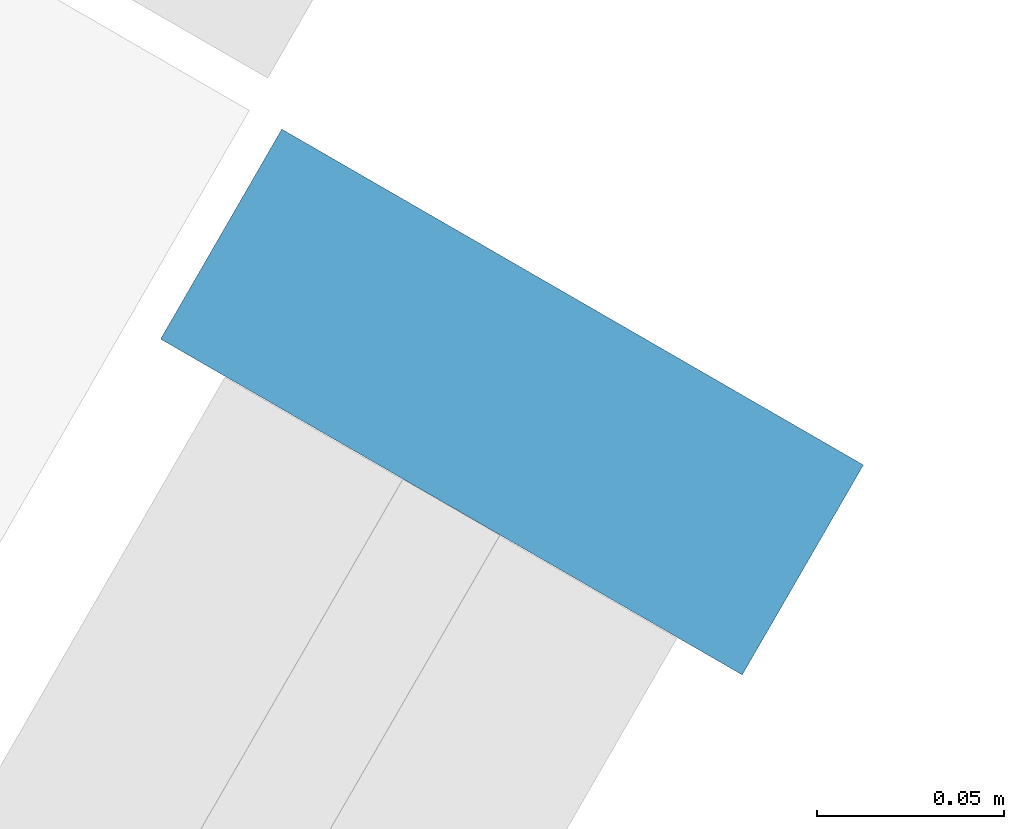
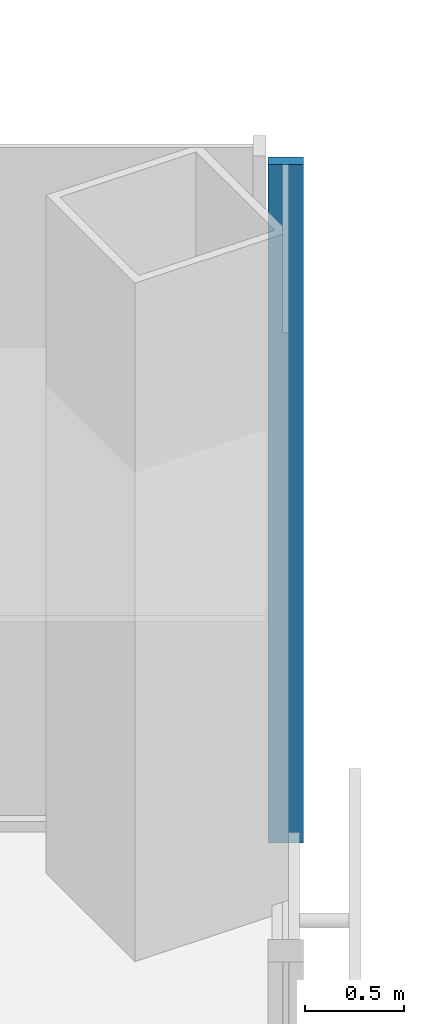
# One storey, part 8 of 16: 1 member, 1 element without a shape of its own.
"""IFC4 building model written with IfcOpenShell, lengths in metres."""

import ifcopenshell
import ifcopenshell.guid

model = None  # the IFC model being written
_history = None  # IfcOwnerHistory: only IFC2X3 demands one
_inside = {}  # id of a spatial element -> (the spatial element, [elements in it])
_under = {}  # id of a project, library or spatial element -> (it, [spatial elements below it])
_declared = {}  # id of a project -> (the project, [libraries it declares])
_typed = {}  # id of a type object -> (the type object, [elements of that type])
_made_of = {}  # id of a material, layer set ... -> (it, [elements and type objects made of it])


def new_model(schema):
    """Start an empty IFC model of exactly this schema.

    Asked for "IFC4X3", IfcOpenShell would pick the latest addendum, in which some entities
    have other attributes; the version numbers below select the first issue.
    IFC2X3 requires an IfcOwnerHistory on every rooted entity: one is made here for all.
    """
    global model, _history
    if schema == "IFC4X3":
        model = ifcopenshell.file(schema_version=(4, 3, 0, 0))
    else:
        model = ifcopenshell.file(schema=schema)
    _inside.clear()
    _under.clear()
    _declared.clear()
    _typed.clear()
    _made_of.clear()
    _history = None
    if model.schema == "IFC2X3":
        org = make("IfcOrganization", Name="unknown")
        user = make(
            "IfcPersonAndOrganization",
            ThePerson=make("IfcPerson", FamilyName="unknown"),
            TheOrganization=org,
        )
        app = make(
            "IfcApplication",
            ApplicationDeveloper=org,
            Version="unknown",
            ApplicationFullName="unknown",
            ApplicationIdentifier="unknown",
        )
        _history = make(
            "IfcOwnerHistory",
            OwningUser=user,
            OwningApplication=app,
            ChangeAction="ADDED",
            CreationDate=0,
        )
    return model


def make(cls, **values):
    """One entity of the class cls with the attributes given. An attribute that is None is left unset."""
    return model.create_entity(
        cls, **{name: value for name, value in values.items() if value is not None}
    )


def rooted(cls, **values):
    """An entity with a GlobalId (a new one), such as an element, a storey or a relation."""
    return make(cls, GlobalId=ifcopenshell.guid.new(), OwnerHistory=_history, **values)


def si_unit(unit_type, name, prefix=None):
    """IfcSIUnit, for example si_unit("LENGTHUNIT", "METRE", prefix="MILLI")."""
    return make("IfcSIUnit", UnitType=unit_type, Prefix=prefix, Name=name)


def assignment(units):
    """IfcUnitAssignment: the units of a project."""
    return None if units is None else make("IfcUnitAssignment", Units=units)


def point(xyz):
    """IfcCartesianPoint."""
    return None if xyz is None else make("IfcCartesianPoint", Coordinates=xyz)


def direction(xyz):
    """IfcDirection."""
    return None if xyz is None else make("IfcDirection", DirectionRatios=xyz)


def frame(location, z_axis=None, x_axis=None):
    """IfcAxis2Placement3D, a coordinate frame: its origin and axes. An axis left out is left unset."""
    return make(
        "IfcAxis2Placement3D",
        Location=point(location),
        Axis=direction(z_axis),
        RefDirection=direction(x_axis),
    )


def frame_2d(location, x_axis=None):
    """IfcAxis2Placement2D, a coordinate frame in the plane: its origin and x axis."""
    return make(
        "IfcAxis2Placement2D", Location=point(location), RefDirection=direction(x_axis)
    )


def origin():
    """The frame at (0, 0, 0) with its axes left unset."""
    return frame((0.0, 0.0, 0.0))


def origin_2d():
    """The frame at (0, 0) in the plane with its x axis left unset."""
    return frame_2d((0.0, 0.0))


def place(relative_to, where):
    """IfcLocalPlacement: puts the frame where relative to a parent placement (None: the world)."""
    return make(
        "IfcLocalPlacement", PlacementRelTo=relative_to, RelativePlacement=where
    )


def context(
    kind, dimensions, precision=None, world=None, true_north=None, identifier=None
):
    """IfcGeometricRepresentationContext, for example the 3D "Model" context."""
    return make(
        "IfcGeometricRepresentationContext",
        ContextIdentifier=identifier,
        ContextType=kind,
        CoordinateSpaceDimension=dimensions,
        Precision=precision,
        WorldCoordinateSystem=world,
        TrueNorth=true_north,
    )


def subcontext(parent, identifier, kind, view, scale=None):
    """IfcGeometricRepresentationSubContext, for example "Body" below "Model"."""
    return make(
        "IfcGeometricRepresentationSubContext",
        ContextIdentifier=identifier,
        ContextType=kind,
        ParentContext=parent,
        TargetScale=scale,
        TargetView=view,
    )


def project(units=None, contexts=None):
    """IfcProject with its units and contexts."""
    return rooted(
        "IfcProject",
        Name="project",
        RepresentationContexts=contexts,
        UnitsInContext=assignment(units),
    )


def spatial(cls, under=None, at=None, **own):
    """A site, building, storey or space (cls), placed at a placement, below another one or the project."""
    s = rooted(cls, ObjectPlacement=at, **own)
    if under is not None:
        _under.setdefault(under.id(), (under, []))[1].append(s)
    return s


def profile(cls, at=None, kind="AREA", **sizes):
    """A parametric profile (cls). Its sizes go by their IFC names, for example OverallWidth=200.0."""
    return make(cls, ProfileType=kind, Position=at, **sizes)


def rectangle(**sizes):
    """IfcRectangleProfileDef."""
    return profile("IfcRectangleProfileDef", **sizes)


def extrude(swept, where, along, depth):
    """IfcExtrudedAreaSolid: the profile swept, set in the frame where, extruded along a direction by depth."""
    return make(
        "IfcExtrudedAreaSolid",
        SweptArea=swept,
        Position=where,
        ExtrudedDirection=direction(along),
        Depth=depth,
    )


def shape(context_of_items, identifier, shape_type, items):
    """IfcShapeRepresentation: the items that make up one representation, for example the "Body"."""
    return make(
        "IfcShapeRepresentation",
        ContextOfItems=context_of_items,
        RepresentationIdentifier=identifier,
        RepresentationType=shape_type,
        Items=items,
    )


def material(Name=None, Category=None):
    """IfcMaterial."""
    return make("IfcMaterial", Name=Name, Category=Category)


def material_profile(
    of_material, cross_section, Name=None, Category=None, Priority=None
):
    """IfcMaterialProfile: a cross section and its material."""
    return make(
        "IfcMaterialProfile",
        Name=Name,
        Material=of_material,
        Profile=cross_section,
        Priority=Priority,
        Category=Category,
    )


def profile_set(profiles, Name=None, composite=None):
    """IfcMaterialProfileSet."""
    return make(
        "IfcMaterialProfileSet",
        Name=Name,
        MaterialProfiles=profiles,
        CompositeProfile=composite,
    )


def made_of(thing, what):
    """Note that an element or type object is made of a material, layer set ...; save() writes the relation."""
    if what is not None:
        _made_of.setdefault(what.id(), (what, []))[1].append(thing)
    return thing


def type_object(cls, material=None, **own):
    """A type object (cls), such as IfcWallType, which elements share."""
    return made_of(rooted(cls, **own), material)


def element(
    cls,
    number,
    at=None,
    inside=None,
    cuts=None,
    type_object=None,
    material=None,
    context=None,
    identifier="Body",
    shape_type=None,
    held_by="IfcProductDefinitionShape",
    body=None,
    shapes=None,
    **own,
):
    """One element of the class cls, such as IfcWall. Its Tag is "e" and its number.

    at: its placement. inside: the storey or other place that contains it. cuts: it is an
    opening in that element (IfcRelVoidsElement). A single representation is given by context,
    identifier, shape_type and body (its items); several are given by shapes. held_by: the class
    of the entity that holds the representations. save() writes the other relations.
    """
    e = rooted(cls, Tag="e%d" % number, ObjectPlacement=at, **own)
    if body is not None:
        shapes = [shape(context, identifier, shape_type, body)]
    if shapes is not None:
        e.Representation = make(held_by, Representations=shapes)
    if inside is not None:
        _inside.setdefault(inside.id(), (inside, []))[1].append(e)
    if cuts is not None:
        rooted(
            "IfcRelVoidsElement", RelatingBuildingElement=cuts, RelatedOpeningElement=e
        )
    if type_object is not None:
        _typed.setdefault(type_object.id(), (type_object, []))[1].append(e)
    return made_of(e, material)


def aggregate(whole, parts):
    """IfcRelAggregates: a whole, such as a stair, and the parts it consists of."""
    return rooted("IfcRelAggregates", RelatingObject=whole, RelatedObjects=parts)


def save(model, path):
    """Write the relations noted so far, then the file.

    IfcRelAggregates (storeys below a building ...), IfcRelContainedInSpatialStructure (elements
    in a storey), IfcRelDefinesByType, IfcRelAssociatesMaterial and IfcRelDeclares: one each for
    every whole, place, type object, material and project.
    """
    for whole, parts in _under.values():
        aggregate(whole, parts)
    for where, things in _inside.values():
        rooted(
            "IfcRelContainedInSpatialStructure",
            RelatedElements=things,
            RelatingStructure=where,
        )
    for kind, things in _typed.values():
        rooted("IfcRelDefinesByType", RelatedObjects=things, RelatingType=kind)
    for what, things in _made_of.values():
        rooted("IfcRelAssociatesMaterial", RelatedObjects=things, RelatingMaterial=what)
    for by, libraries in _declared.values():
        rooted("IfcRelDeclares", RelatingContext=by, RelatedDefinitions=libraries)
    model.write(path)


model = new_model("IFC4")

# Units and contexts
model_context = context("Model", 3, precision=1e-05, world=origin(), true_north=direction((0.0, 1.0)))
body_context = subcontext(model_context, "Body", "Model", "MODEL_VIEW")
ifc_project = project(units=[si_unit("LENGTHUNIT", "METRE"), si_unit("AREAUNIT", "SQUARE_METRE"), si_unit("VOLUMEUNIT", "CUBIC_METRE"), si_unit("PLANEANGLEUNIT", "RADIAN"), si_unit("MASSUNIT", "GRAM", prefix="KILO")], contexts=[model_context])

# Site, building, storey
site_placement = place(None, origin())
site = spatial("IfcSite", under=ifc_project, at=site_placement, CompositionType="ELEMENT")
building_placement = place(site_placement, origin())
building = spatial("IfcBuilding", under=site, at=building_placement, Name="Kasaneha Research Tower", CompositionType="ELEMENT")
storey_placement = place(building_placement, frame((0.0, 0.0, 22.60009765625)))
storey = spatial("IfcBuildingStorey", under=building, at=storey_placement, Name="L06", CompositionType="ELEMENT", Elevation=22.60009765625)

# Curtain wall, member
ifc_material_1 = material(Name="Glass and aluminium", Category="aluminium")
curtain_wall_type = type_object("IfcCurtainWallType", Name="Wet laboratory curtain wall", PredefinedType="USERDEFINED", material=ifc_material_1)
curtain_wall_placement = place(storey_placement, origin())
curtain_wall = element("IfcCurtainWall", 1, at=curtain_wall_placement, inside=storey, type_object=curtain_wall_type, Name="CW-L1 L06 run 05a", ObjectType="UNITISED CURTAIN WALL", PredefinedType="USERDEFINED")
ifc_material_2 = material(Name="Aluminium 6063-T6", Category="aluminium")
ifc_material_profile = material_profile(ifc_material_2, rectangle(XDim=0.06494140625, YDim=0.179931640625, at=origin_2d()), Name="CW-L1 mullion 65x180")
ifc_profile_set = profile_set([ifc_material_profile], Name="Aluminium 6063-T6")
member_type = type_object("IfcMemberType", Name="CW-L1 mullion", PredefinedType="MULLION", material=ifc_profile_set)
member_placement = place(storey_placement, frame((32.01171875, -6.39501953125, 0.0), z_axis=(0.0, 0.0, 1.0), x_axis=(0.500000011442, 0.866025397178, 0.0)))
member = element("IfcMember", 2, at=member_placement, type_object=member_type, Name="CW-L1 mullion 4", PredefinedType="MULLION", context=body_context, shape_type="SweptSolid", body=[
    extrude(rectangle(XDim=0.06494140625, YDim=0.179931640625, at=origin_2d()), origin(), (0.0, 0.0, 1.0), 4.199951171875),
])
aggregate(curtain_wall, [member])

save(model, "model.ifc")
